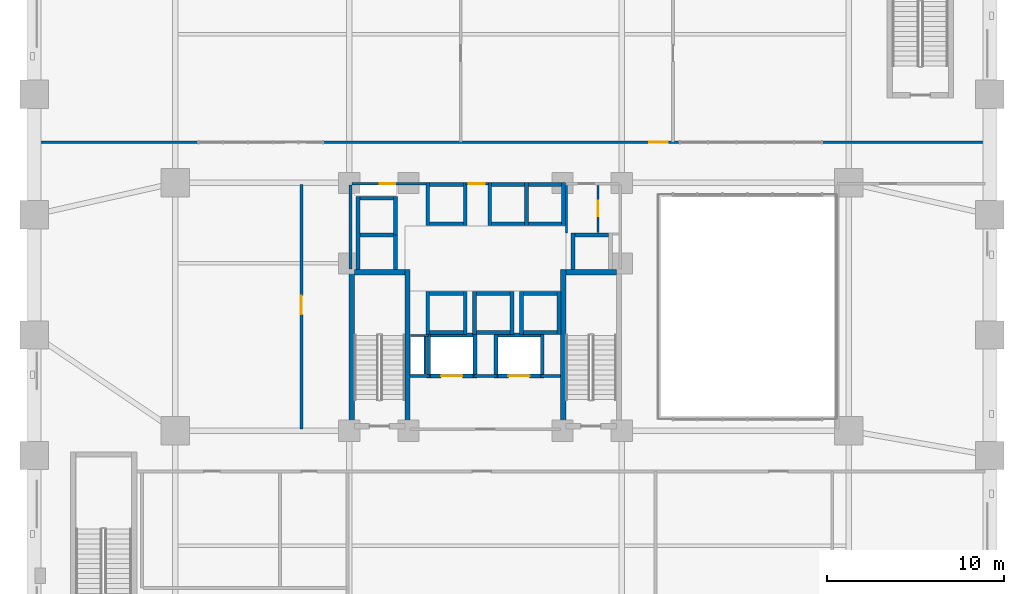
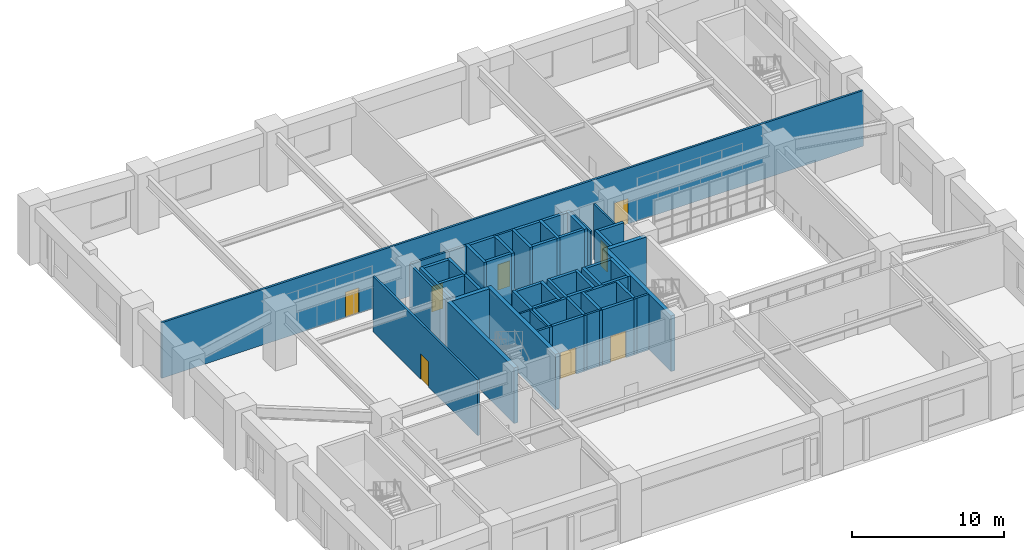
# One storey, part 7 of 13: 55 walls, 8 doors, 8 openings.
"""IFC4 building model written with IfcOpenShell, lengths in metres."""

from ifc_helpers import new_model, si_unit, derived_unit, direction, frame, frame_2d, origin, place, context, subcontext, project, spatial, rectangle, extrude, material, layer, layer_set, type_object, element, fill, save


model = new_model("IFC4")

# Units and contexts
model_context = context("Model", 3, precision=1e-05, world=origin(), true_north=direction((0.0, 1.0)))
body_context = subcontext(model_context, "Body", "Model", "MODEL_VIEW")
ifc_project = project(units=[si_unit("LENGTHUNIT", "METRE"), si_unit("AREAUNIT", "SQUARE_METRE"), si_unit("VOLUMEUNIT", "CUBIC_METRE"), si_unit("PLANEANGLEUNIT", "RADIAN"), si_unit("MASSUNIT", "GRAM", prefix="KILO"), derived_unit("THERMALTRANSMITTANCEUNIT", [(si_unit("MASSUNIT", "GRAM", prefix="KILO"), 1), (si_unit("TIMEUNIT", "SECOND"), -3), (si_unit("THERMODYNAMICTEMPERATUREUNIT", "KELVIN"), -1)])], contexts=[model_context])

# Site, building, storey
site_placement = place(None, origin())
site = spatial("IfcSite", under=ifc_project, at=site_placement, CompositionType="ELEMENT")
building_placement = place(site_placement, origin())
building = spatial("IfcBuilding", under=site, at=building_placement, Name="Korrvale Station Residences", CompositionType="ELEMENT")
storey_placement = place(building_placement, frame((0.0, 0.0, 11.199951171875)))
storey = spatial("IfcBuildingStorey", under=building, at=storey_placement, Name="L02", CompositionType="ELEMENT", Elevation=11.199951171875)

# Walls
ifc_material_1 = material(Name="Concrete C70/85", Category="concrete")
ifc_layer_1 = layer(ifc_material_1, 0.300048828125, Name="Concrete C70/85")
ifc_layer_set_1 = layer_set([ifc_layer_1], Name="Concrete C70/85")
wall_type_1 = type_object("IfcWallType", Name="WAL-CORE-300-C70", PredefinedType="SHEAR", material=ifc_layer_set_1)
for number, where, z_axis, x_axis, name in (
    (1, (17.949951171875, 15.10009765625, 0.0), (0.0, 0.0, 1.0), (0.0, 1.0, 0.0), "L02 ST-1 Core Shear Wall West"),
    (2, (21.10009765625, 15.10009765625, 0.0), (0.0, 0.0, 1.0), (0.0, 1.0, 0.0), "L02 ST-1 Core Shear Wall East"),
):
    element("IfcWall", number, at=place(storey_placement, frame(where, z_axis=z_axis, x_axis=x_axis)), inside=storey, type_object=wall_type_1, Name=name, PredefinedType="SHEAR", context=body_context, shape_type="SweptSolid", body=[
        extrude(rectangle(XDim=9.0, YDim=0.300048828125, at=frame_2d((4.5, 0.0))), origin(), (0.0, 0.0, 1.0), 4.47998046875),
    ])
wall_1_placement = place(storey_placement, frame((18.10009765625, 23.949951171875, 0.0), z_axis=(0.0, 0.0, 1.0), x_axis=(1.0, 0.0, 0.0)))
element("IfcWall", 3, at=wall_1_placement, inside=storey, type_object=wall_type_1, Name="L02 ST-1 Core Shear Wall North", PredefinedType="SHEAR", context=body_context, shape_type="SweptSolid", body=[
    extrude(rectangle(XDim=2.849853515625, YDim=0.300048828125, at=frame_2d((1.4248046875, 0.0))), origin(), (0.0, 0.0, 1.0), 4.47998046875),
])
wall_2_placement = place(storey_placement, frame((29.89990234375, 15.10009765625, 0.0), z_axis=(0.0, 0.0, 1.0), x_axis=(0.0, 1.0, 0.0)))
element("IfcWall", 4, at=wall_2_placement, inside=storey, type_object=wall_type_1, Name="L02 ST-2 Core Shear Wall West", PredefinedType="SHEAR", context=body_context, shape_type="SweptSolid", body=[
    extrude(rectangle(XDim=9.0, YDim=0.300048828125, at=frame_2d((4.5, 0.0))), origin(), (0.0, 0.0, 1.0), 4.47998046875),
])
wall_3_placement = place(storey_placement, frame((30.050048828125, 23.949951171875, 0.0), z_axis=(0.0, 0.0, 1.0), x_axis=(1.0, 0.0, 0.0)))
element("IfcWall", 5, at=wall_3_placement, inside=storey, type_object=wall_type_1, Name="L02 ST-2 Core Shear Wall North", PredefinedType="SHEAR", context=body_context, shape_type="SweptSolid", body=[
    extrude(rectangle(XDim=2.849853515625, YDim=0.300048828125, at=frame_2d((1.4248046875, 0.0))), origin(), (0.0, 0.0, 1.0), 4.47998046875),
])
ifc_material_2 = material(Name="Acoustic steel-stud gypsum board partition", Category="steel")
ifc_layer_2 = layer(ifc_material_2, 0.1201171875, Name="Acoustic steel-stud gypsum board partition")
ifc_layer_set_2 = layer_set([ifc_layer_2], Name="Acoustic steel-stud gypsum board partition")
wall_type_2 = type_object("IfcWallType", Name="WAL-PART-125", PredefinedType="PARTITIONING", material=ifc_layer_set_2)
wall_4_placement = place(storey_placement, frame((22.080078125, 18.199951171875, 0.0), z_axis=(0.0, 0.0, 1.0), x_axis=(0.0, 1.0, 0.0)))
element("IfcWall", 6, at=wall_4_placement, inside=storey, type_object=wall_type_2, Name="L02 Core Partition CW-RSWT", PredefinedType="PARTITIONING", context=body_context, shape_type="SweptSolid", body=[
    extrude(rectangle(XDim=2.1201171875, YDim=0.1201171875, at=frame_2d((1.06005859375, 0.0))), origin(), (0.0, 0.0, 1.0), 4.47998046875),
])
wall_5_placement = place(storey_placement, frame((22.280029296875, 20.3798828125, 0.0), z_axis=(0.0, 0.0, 1.0), x_axis=(-1.0, 0.0, 0.0)))
element("IfcWall", 7, at=wall_5_placement, inside=storey, type_object=wall_type_2, Name="L02 Core Partition CW-RSWT-N", PredefinedType="PARTITIONING", context=body_context, shape_type="SweptSolid", body=[
    extrude(rectangle(XDim=1.02001953125, YDim=0.1201171875, at=frame_2d((0.510009765625, 0.0))), origin(), (0.0, 0.0, 1.0), 4.47998046875),
])
wall_6_placement = place(storey_placement, frame((30.080078125, 26.179931640625, 0.0), z_axis=(0.0, 0.0, 1.0), x_axis=(0.0, 1.0, 0.0)))
element("IfcWall", 8, at=wall_6_placement, inside=storey, type_object=wall_type_2, Name="L02 Core Partition CW-CS-W", PredefinedType="PARTITIONING", context=body_context, shape_type="SweptSolid", body=[
    extrude(rectangle(XDim=2.68017578125, YDim=0.1201171875, at=frame_2d((1.340087890625, 0.0))), origin(), (0.0, 0.0, 1.0), 4.47998046875),
])

# Wall, opening, door
wall_7_placement = place(storey_placement, frame((31.860107421875, 26.199951171875, 0.0), z_axis=(0.0, 0.0, 1.0), x_axis=(0.0, 1.0, 0.0)))
wall_7 = element("IfcWall", 9, at=wall_7_placement, inside=storey, type_object=wall_type_2, Name="L02 Core Partition CW-CS-MID", PredefinedType="PARTITIONING", context=body_context, shape_type="SweptSolid", body=[
    extrude(rectangle(XDim=2.66015625, YDim=0.1201171875, at=frame_2d((1.330078125, 0.0))), origin(), (0.0, 0.0, 1.0), 4.47998046875),
])
opening_1_placement = place(wall_7_placement, frame((0.919921875, 0.0, 0.0)))
opening_1 = element("IfcOpeningElement", 10, at=opening_1_placement, cuts=wall_7, Name="Opening DB-860", PredefinedType="OPENING", context=body_context, shape_type="SweptSolid", body=[
    extrude(rectangle(XDim=0.860107421875, YDim=2.050048828125, at=frame_2d((0.43017578125, 1.02490234375))), frame((0.0, 0.070068359375, 0.0), z_axis=(0.0, -1.0, 0.0), x_axis=(1.0, 0.0, 0.0)), (0.0, 0.0, 1.0), 0.14013671875),
])
ifc_material_3 = material(Name="Moisture-resistant solid-core bathroom door", Category="timber")
door_type_1 = type_object("IfcDoorType", Name="DR-BATH-860", OperationType="NOTDEFINED", PredefinedType="DOOR", material=ifc_material_3)
door_1_placement = place(opening_1_placement, origin())
door_1 = element("IfcDoor", 11, at=door_1_placement, inside=storey, type_object=door_type_1, Name="L02 Metering Inner Door", OperationType="SINGLE_SWING_LEFT", OverallHeight=2.050048828125, OverallWidth=0.860107421875, PredefinedType="DOOR", context=body_context, shape_type="SweptSolid", body=[
    extrude(rectangle(XDim=0.860107421875, YDim=2.050048828125, at=frame_2d((0.43017578125, 1.02490234375))), frame((0.0, 0.02490234375, 0.0), z_axis=(0.0, -1.0, 0.0), x_axis=(1.0, 0.0, 0.0)), (0.0, 0.0, 1.0), 0.050048828125),
])
fill(opening_1, door_1)

# Walls
ifc_material_4 = material(Name="Fire-rated twin-stud gypsum and mineral wool shaftwall assembly", Category="gypsum")
ifc_layer_3 = layer(ifc_material_4, 0.159912109375, Name="Fire-rated twin-stud gypsum and mineral wool shaftwall assembly")
ifc_layer_set_3 = layer_set([ifc_layer_3], Name="Fire-rated twin-stud gypsum and mineral wool shaftwall assembly")
wall_type_3 = type_object("IfcWallType", Name="WAL-PART-200", PredefinedType="PARTITIONING", material=ifc_layer_set_3)
wall_8_placement = place(storey_placement, frame((21.25, 18.080078125, 0.0), z_axis=(0.0, 0.0, 1.0), x_axis=(1.0, 0.0, 0.0)))
element("IfcWall", 12, at=wall_8_placement, inside=storey, type_object=wall_type_3, Name="L02 Core Partition CW-FFL-N1", PredefinedType="PARTITIONING", context=body_context, shape_type="SweptSolid", body=[
    extrude(rectangle(XDim=1.10009765625, YDim=0.159912109375, at=frame_2d((0.550048828125, 0.0))), origin(), (0.0, 0.0, 1.0), 4.47998046875),
])
wall_9_placement = place(storey_placement, frame((24.85009765625, 18.080078125, 0.0), z_axis=(0.0, 0.0, 1.0), x_axis=(1.0, 0.0, 0.0)))
element("IfcWall", 13, at=wall_9_placement, inside=storey, type_object=wall_type_3, Name="L02 Core Partition CW-FFL-N2", PredefinedType="PARTITIONING", context=body_context, shape_type="SweptSolid", body=[
    extrude(rectangle(XDim=1.2998046875, YDim=0.159912109375, at=frame_2d((0.64990234375, 0.0))), origin(), (0.0, 0.0, 1.0), 4.47998046875),
])
wall_10_placement = place(storey_placement, frame((28.64990234375, 18.080078125, 0.0), z_axis=(0.0, 0.0, 1.0), x_axis=(1.0, 0.0, 0.0)))
element("IfcWall", 14, at=wall_10_placement, inside=storey, type_object=wall_type_3, Name="L02 Core Partition CW-FFL-N3", PredefinedType="PARTITIONING", context=body_context, shape_type="SweptSolid", body=[
    extrude(rectangle(XDim=1.10009765625, YDim=0.159912109375, at=frame_2d((0.550048828125, 0.0))), origin(), (0.0, 0.0, 1.0), 4.47998046875),
])
wall_11_placement = place(storey_placement, frame((17.8798828125, 24.1201171875, 0.0), z_axis=(0.0, 0.0, 1.0), x_axis=(0.0, 1.0, 0.0)))
element("IfcWall", 15, at=wall_11_placement, inside=storey, type_object=wall_type_3, Name="L02 Core Partition CW-W-N", PredefinedType="PARTITIONING", context=body_context, shape_type="SweptSolid", body=[
    extrude(rectangle(XDim=4.759765625, YDim=0.159912109375, at=frame_2d((2.3798828125, 0.0))), origin(), (0.0, 0.0, 1.0), 4.47998046875),
])

# Wall, opening, door
wall_12_placement = place(storey_placement, frame((24.360107421875, 28.949951171875, 0.0), z_axis=(0.0, 0.0, 1.0), x_axis=(1.0, 0.0, 0.0)))
wall_12 = element("IfcWall", 16, at=wall_12_placement, inside=storey, type_object=wall_type_3, Name="L02 Core Partition CW-LLOB-N", PredefinedType="PARTITIONING", context=body_context, shape_type="SweptSolid", body=[
    extrude(rectangle(XDim=1.31982421875, YDim=0.159912109375, at=frame_2d((0.659912109375, 0.0))), origin(), (0.0, 0.0, 1.0), 4.47998046875),
])
opening_2_placement = place(wall_12_placement, frame((0.2099609375, 0.0, 0.0)))
opening_2 = element("IfcOpeningElement", 17, at=opening_2_placement, cuts=wall_12, Name="Opening DI-900", PredefinedType="OPENING", context=body_context, shape_type="SweptSolid", body=[
    extrude(rectangle(XDim=0.89990234375, YDim=2.050048828125, at=frame_2d((0.449951171875, 1.02490234375))), frame((0.0, 0.08984375, 0.0), z_axis=(0.0, -1.0, 0.0), x_axis=(1.0, 0.0, 0.0)), (0.0, 0.0, 1.0), 0.179931640625),
])
ifc_material_5 = material(Name="Painted solid-core timber interior room door", Category="wood")
door_type_2 = type_object("IfcDoorType", Name="DR-INT-900", OperationType="NOTDEFINED", PredefinedType="DOOR", material=ifc_material_5)
door_2_placement = place(opening_2_placement, origin())
door_2 = element("IfcDoor", 18, at=door_2_placement, inside=storey, type_object=door_type_2, Name="L02 Central Hallway North Passage Door", OperationType="SINGLE_SWING_LEFT", OverallHeight=2.050048828125, OverallWidth=0.89990234375, PredefinedType="DOOR", context=body_context, shape_type="SweptSolid", body=[
    extrude(rectangle(XDim=0.89990234375, YDim=2.050048828125, at=frame_2d((0.449951171875, 1.02490234375))), frame((0.0, 0.02490234375, 0.0), z_axis=(0.0, -1.0, 0.0), x_axis=(1.0, 0.0, 0.0)), (0.0, 0.0, 1.0), 0.050048828125),
])
fill(opening_2, door_2)

wall_13_placement = place(storey_placement, frame((17.9599609375, 28.949951171875, 0.0), z_axis=(0.0, 0.0, 1.0), x_axis=(1.0, 0.0, 0.0)))
wall_13 = element("IfcWall", 19, at=wall_13_placement, inside=storey, type_object=wall_type_3, Name="L02 Core Partition CW-NW", PredefinedType="PARTITIONING", context=body_context, shape_type="SweptSolid", body=[
    extrude(rectangle(XDim=4.2900390625, YDim=0.159912109375, at=frame_2d((2.14501953125, 0.0))), origin(), (0.0, 0.0, 1.0), 4.47998046875),
])
opening_3_placement = place(wall_13_placement, frame((1.570068359375, 0.0, 0.0)))
opening_3 = element("IfcOpeningElement", 20, at=opening_3_placement, cuts=wall_13, Name="Opening DB-860", PredefinedType="OPENING", context=body_context, shape_type="SweptSolid", body=[
    extrude(rectangle(XDim=0.860107421875, YDim=2.050048828125, at=frame_2d((0.43017578125, 1.02490234375))), frame((0.0, 0.08984375, 0.0), z_axis=(0.0, -1.0, 0.0), x_axis=(1.0, 0.0, 0.0)), (0.0, 0.0, 1.0), 0.179931640625),
])
door_3_placement = place(opening_3_placement, origin())
door_3 = element("IfcDoor", 21, at=door_3_placement, inside=storey, type_object=door_type_1, Name="L02 Electrical Riser Access Door", OperationType="SINGLE_SWING_RIGHT", OverallHeight=2.050048828125, OverallWidth=0.860107421875, PredefinedType="DOOR", context=body_context, shape_type="SweptSolid", body=[
    extrude(rectangle(XDim=0.860107421875, YDim=2.050048828125, at=frame_2d((0.43017578125, 1.02490234375))), frame((0.0, 0.02490234375, 0.0), z_axis=(0.0, -1.0, 0.0), x_axis=(1.0, 0.0, 0.0)), (0.0, 0.0, 1.0), 0.050048828125),
])
fill(opening_3, door_3)

# Wall, openings, doors
wall_14_placement = place(storey_placement, frame((0.280029296875, 31.300048828125, 0.0), z_axis=(0.0, 0.0, 1.0), x_axis=(1.0, 0.0, 0.0)))
wall_14 = element("IfcWall", 22, at=wall_14_placement, inside=storey, type_object=wall_type_3, Name="L02 Interior Partition W-PN", PredefinedType="PARTITIONING", context=body_context, shape_type="SweptSolid", body=[
    extrude(rectangle(XDim=53.43994140625, YDim=0.159912109375, at=frame_2d((26.719970703125, 0.0))), origin(), (0.0, 0.0, 1.0), 4.47998046875),
])
opening_4_placement = place(wall_14_placement, frame((13.97509765625, 0.0, 0.0)))
opening_4 = element("IfcOpeningElement", 23, at=opening_4_placement, cuts=wall_14, Name="Opening FD-1050", PredefinedType="OPENING", context=body_context, shape_type="SweptSolid", body=[
    extrude(rectangle(XDim=1.050048828125, YDim=2.050048828125, at=frame_2d((0.52490234375, 1.02490234375))), frame((0.0, 0.08984375, 0.0), z_axis=(0.0, -1.0, 0.0), x_axis=(1.0, 0.0, 0.0)), (0.0, 0.0, 1.0), 0.179931640625),
])
opening_5_placement = place(wall_14_placement, frame((34.47509765625, 0.0, 0.0)))
opening_5 = element("IfcOpeningElement", 24, at=opening_5_placement, cuts=wall_14, Name="Opening FD-1050", PredefinedType="OPENING", context=body_context, shape_type="SweptSolid", body=[
    extrude(rectangle(XDim=1.050048828125, YDim=2.050048828125, at=frame_2d((0.52490234375, 1.02490234375))), frame((0.0, 0.08984375, 0.0), z_axis=(0.0, -1.0, 0.0), x_axis=(1.0, 0.0, 0.0)), (0.0, 0.0, 1.0), 0.179931640625),
])
ifc_material_6 = material(Name="Fire-rated mineral-core timber lobby door", Category="wood")
door_type_3 = type_object("IfcDoorType", Name="DR-CORE-1050", OperationType="NOTDEFINED", PredefinedType="DOOR", material=ifc_material_6)
door_4_placement = place(opening_4_placement, origin())
door_4 = element("IfcDoor", 25, at=door_4_placement, inside=storey, type_object=door_type_3, Name="L02 North Suite Entry Door 1", OperationType="SINGLE_SWING_LEFT", OverallHeight=2.050048828125, OverallWidth=1.050048828125, PredefinedType="DOOR", context=body_context, shape_type="SweptSolid", body=[
    extrude(rectangle(XDim=1.050048828125, YDim=2.050048828125, at=frame_2d((0.52490234375, 1.02490234375))), frame((0.0, 0.02490234375, 0.0), z_axis=(0.0, -1.0, 0.0), x_axis=(1.0, 0.0, 0.0)), (0.0, 0.0, 1.0), 0.050048828125),
])
fill(opening_4, door_4)
door_5_placement = place(opening_5_placement, origin())
door_5 = element("IfcDoor", 26, at=door_5_placement, inside=storey, type_object=door_type_3, Name="L02 North Suite Entry Door 2", OperationType="SINGLE_SWING_RIGHT", OverallHeight=2.050048828125, OverallWidth=1.050048828125, PredefinedType="DOOR", context=body_context, shape_type="SweptSolid", body=[
    extrude(rectangle(XDim=1.050048828125, YDim=2.050048828125, at=frame_2d((0.52490234375, 1.02490234375))), frame((0.0, 0.02490234375, 0.0), z_axis=(0.0, -1.0, 0.0), x_axis=(1.0, 0.0, 0.0)), (0.0, 0.0, 1.0), 0.050048828125),
])
fill(opening_5, door_5)

# Wall, opening, door
wall_15_placement = place(storey_placement, frame((15.10009765625, 15.10009765625, 0.0), z_axis=(0.0, 0.0, 1.0), x_axis=(0.0, 1.0, 0.0)))
wall_15 = element("IfcWall", 27, at=wall_15_placement, inside=storey, type_object=wall_type_3, Name="L02 Interior Partition W-PW", PredefinedType="PARTITIONING", context=body_context, shape_type="SweptSolid", body=[
    extrude(rectangle(XDim=13.7998046875, YDim=0.159912109375, at=frame_2d((6.89990234375, 0.0))), origin(), (0.0, 0.0, 1.0), 4.47998046875),
])
opening_6_placement = place(wall_15_placement, frame((6.47509765625, 0.0, 0.0)))
opening_6 = element("IfcOpeningElement", 28, at=opening_6_placement, cuts=wall_15, Name="Opening FD-1050", PredefinedType="OPENING", context=body_context, shape_type="SweptSolid", body=[
    extrude(rectangle(XDim=1.050048828125, YDim=2.050048828125, at=frame_2d((0.52490234375, 1.02490234375))), frame((0.0, 0.08984375, 0.0), z_axis=(0.0, -1.0, 0.0), x_axis=(1.0, 0.0, 0.0)), (0.0, 0.0, 1.0), 0.179931640625),
])
door_6_placement = place(opening_6_placement, origin())
door_6 = element("IfcDoor", 29, at=door_6_placement, inside=storey, type_object=door_type_3, Name="L02 West Suite Entry Door", OperationType="SINGLE_SWING_LEFT", OverallHeight=2.050048828125, OverallWidth=1.050048828125, PredefinedType="DOOR", context=body_context, shape_type="SweptSolid", body=[
    extrude(rectangle(XDim=1.050048828125, YDim=2.050048828125, at=frame_2d((0.52490234375, 1.02490234375))), frame((0.0, 0.02490234375, 0.0), z_axis=(0.0, -1.0, 0.0), x_axis=(1.0, 0.0, 0.0)), (0.0, 0.0, 1.0), 0.050048828125),
])
fill(opening_6, door_6)

# Walls
ifc_layer_4 = layer(ifc_material_1, 0.219970703125, Name="Concrete C70/85")
ifc_layer_set_4 = layer_set([ifc_layer_4], Name="Concrete C70/85")
wall_type_4 = type_object("IfcWallType", Name="WAL-SHAFT-220-C70", PredefinedType="SHEAR", material=ifc_layer_set_4)
for number, where, z_axis, x_axis, name in (
    (30, (22.35009765625, 26.68994140625, 0.0), (0.0, 0.0, 1.0), (1.0, 0.0, 0.0), "L02 Elevator PL-1 Hoistway Wall South"),
    (31, (22.35009765625, 28.909912109375, 0.0), (0.0, 0.0, 1.0), (1.0, 0.0, 0.0), "L02 Elevator PL-1 Hoistway Wall North"),
):
    element("IfcWall", number, at=place(storey_placement, frame(where, z_axis=z_axis, x_axis=x_axis)), inside=storey, type_object=wall_type_4, Name=name, PredefinedType="SHEAR", context=body_context, shape_type="SweptSolid", body=[
        extrude(rectangle(XDim=1.89990234375, YDim=0.219970703125, at=frame_2d((0.949951171875, 0.0))), origin(), (0.0, 0.0, 1.0), 4.47998046875),
    ])
for number, where, z_axis, x_axis, name in (
    (32, (22.239990234375, 26.580078125, 0.0), (0.0, 0.0, 1.0), (0.0, 1.0, 0.0), "L02 Elevator PL-1 Hoistway Wall West"),
    (33, (24.360107421875, 26.580078125, 0.0), (0.0, 0.0, 1.0), (0.0, 1.0, 0.0), "L02 Elevator PL-1 Hoistway Wall East"),
):
    element("IfcWall", number, at=place(storey_placement, frame(where, z_axis=z_axis, x_axis=x_axis)), inside=storey, type_object=wall_type_4, Name=name, PredefinedType="SHEAR", context=body_context, shape_type="SweptSolid", body=[
        extrude(rectangle(XDim=2.43994140625, YDim=0.219970703125, at=frame_2d((1.219970703125, 0.0))), origin(), (0.0, 0.0, 1.0), 4.47998046875),
    ])
for number, where, z_axis, x_axis, name in (
    (34, (25.85009765625, 26.68994140625, 0.0), (0.0, 0.0, 1.0), (1.0, 0.0, 0.0), "L02 Elevator PL-2 Hoistway Wall South"),
    (35, (25.85009765625, 28.909912109375, 0.0), (0.0, 0.0, 1.0), (1.0, 0.0, 0.0), "L02 Elevator PL-2 Hoistway Wall North"),
):
    element("IfcWall", number, at=place(storey_placement, frame(where, z_axis=z_axis, x_axis=x_axis)), inside=storey, type_object=wall_type_4, Name=name, PredefinedType="SHEAR", context=body_context, shape_type="SweptSolid", body=[
        extrude(rectangle(XDim=1.85986328125, YDim=0.219970703125, at=frame_2d((0.929931640625, 0.0))), origin(), (0.0, 0.0, 1.0), 4.47998046875),
    ])
for number, where, z_axis, x_axis, name in (
    (36, (25.739990234375, 26.580078125, 0.0), (0.0, 0.0, 1.0), (0.0, 1.0, 0.0), "L02 Elevator PL-2 Hoistway Wall West"),
    (37, (27.820068359375, 26.580078125, 0.0), (0.0, 0.0, 1.0), (0.0, 1.0, 0.0), "L02 Elevator PL-2 Hoistway Wall East"),
):
    element("IfcWall", number, at=place(storey_placement, frame(where, z_axis=z_axis, x_axis=x_axis)), inside=storey, type_object=wall_type_4, Name=name, PredefinedType="SHEAR", context=body_context, shape_type="SweptSolid", body=[
        extrude(rectangle(XDim=2.43994140625, YDim=0.219970703125, at=frame_2d((1.219970703125, 0.0))), origin(), (0.0, 0.0, 1.0), 4.47998046875),
    ])
for number, where, z_axis, x_axis, name in (
    (38, (27.929931640625, 26.68994140625, 0.0), (0.0, 0.0, 1.0), (1.0, 0.0, 0.0), "L02 Elevator PL-3 Hoistway Wall South"),
    (39, (27.929931640625, 28.909912109375, 0.0), (0.0, 0.0, 1.0), (1.0, 0.0, 0.0), "L02 Elevator PL-3 Hoistway Wall North"),
):
    element("IfcWall", number, at=place(storey_placement, frame(where, z_axis=z_axis, x_axis=x_axis)), inside=storey, type_object=wall_type_4, Name=name, PredefinedType="SHEAR", context=body_context, shape_type="SweptSolid", body=[
        extrude(rectangle(XDim=1.860107421875, YDim=0.219970703125, at=frame_2d((0.93017578125, 0.0))), origin(), (0.0, 0.0, 1.0), 4.47998046875),
    ])
wall_16_placement = place(storey_placement, frame((29.89990234375, 26.580078125, 0.0), z_axis=(0.0, 0.0, 1.0), x_axis=(0.0, 1.0, 0.0)))
element("IfcWall", 40, at=wall_16_placement, inside=storey, type_object=wall_type_4, Name="L02 Elevator PL-3 Hoistway Wall East", PredefinedType="SHEAR", context=body_context, shape_type="SweptSolid", body=[
    extrude(rectangle(XDim=2.43994140625, YDim=0.219970703125, at=frame_2d((1.219970703125, 0.0))), origin(), (0.0, 0.0, 1.0), 4.47998046875),
])
for number, where, z_axis, x_axis, name in (
    (41, (22.35009765625, 20.5400390625, 0.0), (0.0, 0.0, 1.0), (1.0, 0.0, 0.0), "L02 Elevator PM-1 Hoistway Wall South"),
    (42, (22.35009765625, 22.760009765625, 0.0), (0.0, 0.0, 1.0), (1.0, 0.0, 0.0), "L02 Elevator PM-1 Hoistway Wall North"),
):
    element("IfcWall", number, at=place(storey_placement, frame(where, z_axis=z_axis, x_axis=x_axis)), inside=storey, type_object=wall_type_4, Name=name, PredefinedType="SHEAR", context=body_context, shape_type="SweptSolid", body=[
        extrude(rectangle(XDim=1.89990234375, YDim=0.219970703125, at=frame_2d((0.949951171875, 0.0))), origin(), (0.0, 0.0, 1.0), 4.47998046875),
    ])
for number, where, z_axis, x_axis, name in (
    (43, (22.239990234375, 20.429931640625, 0.0), (0.0, 0.0, 1.0), (0.0, 1.0, 0.0), "L02 Elevator PM-1 Hoistway Wall West"),
    (44, (24.360107421875, 20.429931640625, 0.0), (0.0, 0.0, 1.0), (0.0, 1.0, 0.0), "L02 Elevator PM-1 Hoistway Wall East"),
):
    element("IfcWall", number, at=place(storey_placement, frame(where, z_axis=z_axis, x_axis=x_axis)), inside=storey, type_object=wall_type_4, Name=name, PredefinedType="SHEAR", context=body_context, shape_type="SweptSolid", body=[
        extrude(rectangle(XDim=2.440185546875, YDim=0.219970703125, at=frame_2d((1.22021484375, 0.0))), origin(), (0.0, 0.0, 1.0), 4.47998046875),
    ])
for number, where, z_axis, x_axis, name in (
    (45, (25.0, 20.5400390625, 0.0), (0.0, 0.0, 1.0), (1.0, 0.0, 0.0), "L02 Elevator PM-2 Hoistway Wall South"),
    (46, (25.0, 22.760009765625, 0.0), (0.0, 0.0, 1.0), (1.0, 0.0, 0.0), "L02 Elevator PM-2 Hoistway Wall North"),
):
    element("IfcWall", number, at=place(storey_placement, frame(where, z_axis=z_axis, x_axis=x_axis)), inside=storey, type_object=wall_type_4, Name=name, PredefinedType="SHEAR", context=body_context, shape_type="SweptSolid", body=[
        extrude(rectangle(XDim=1.89990234375, YDim=0.219970703125, at=frame_2d((0.949951171875, 0.0))), origin(), (0.0, 0.0, 1.0), 4.47998046875),
    ])
for number, where, z_axis, x_axis, name in (
    (47, (24.889892578125, 20.429931640625, 0.0), (0.0, 0.0, 1.0), (0.0, 1.0, 0.0), "L02 Elevator PM-2 Hoistway Wall West"),
    (48, (27.010009765625, 20.429931640625, 0.0), (0.0, 0.0, 1.0), (0.0, 1.0, 0.0), "L02 Elevator PM-2 Hoistway Wall East"),
):
    element("IfcWall", number, at=place(storey_placement, frame(where, z_axis=z_axis, x_axis=x_axis)), inside=storey, type_object=wall_type_4, Name=name, PredefinedType="SHEAR", context=body_context, shape_type="SweptSolid", body=[
        extrude(rectangle(XDim=2.440185546875, YDim=0.219970703125, at=frame_2d((1.22021484375, 0.0))), origin(), (0.0, 0.0, 1.0), 4.47998046875),
    ])
for number, where, z_axis, x_axis, name in (
    (49, (27.64990234375, 20.5400390625, 0.0), (0.0, 0.0, 1.0), (1.0, 0.0, 0.0), "L02 Elevator PM-3 Hoistway Wall South"),
    (50, (27.64990234375, 22.760009765625, 0.0), (0.0, 0.0, 1.0), (1.0, 0.0, 0.0), "L02 Elevator PM-3 Hoistway Wall North"),
):
    element("IfcWall", number, at=place(storey_placement, frame(where, z_axis=z_axis, x_axis=x_axis)), inside=storey, type_object=wall_type_4, Name=name, PredefinedType="SHEAR", context=body_context, shape_type="SweptSolid", body=[
        extrude(rectangle(XDim=1.900146484375, YDim=0.219970703125, at=frame_2d((0.9501953125, 0.0))), origin(), (0.0, 0.0, 1.0), 4.47998046875),
    ])
for number, where, z_axis, x_axis, name in (
    (51, (27.5400390625, 20.429931640625, 0.0), (0.0, 0.0, 1.0), (0.0, 1.0, 0.0), "L02 Elevator PM-3 Hoistway Wall West"),
    (52, (29.659912109375, 20.429931640625, 0.0), (0.0, 0.0, 1.0), (0.0, 1.0, 0.0), "L02 Elevator PM-3 Hoistway Wall East"),
):
    element("IfcWall", number, at=place(storey_placement, frame(where, z_axis=z_axis, x_axis=x_axis)), inside=storey, type_object=wall_type_4, Name=name, PredefinedType="SHEAR", context=body_context, shape_type="SweptSolid", body=[
        extrude(rectangle(XDim=2.440185546875, YDim=0.219970703125, at=frame_2d((1.22021484375, 0.0))), origin(), (0.0, 0.0, 1.0), 4.47998046875),
    ])
wall_17_placement = place(storey_placement, frame((18.2900390625, 24.10009765625, 0.0), z_axis=(0.0, 0.0, 1.0), x_axis=(0.0, 1.0, 0.0)))
element("IfcWall", 53, at=wall_17_placement, inside=storey, type_object=wall_type_4, Name="L02 Elevator PH-1 Hoistway Wall West", PredefinedType="SHEAR", context=body_context, shape_type="SweptSolid", body=[
    extrude(rectangle(XDim=4.139892578125, YDim=0.219970703125, at=frame_2d((2.06982421875, 0.0))), origin(), (0.0, 0.0, 1.0), 4.47998046875),
])
wall_18_placement = place(storey_placement, frame((20.409912109375, 24.10009765625, 0.0), z_axis=(0.0, 0.0, 1.0), x_axis=(0.0, 1.0, 0.0)))
element("IfcWall", 54, at=wall_18_placement, inside=storey, type_object=wall_type_4, Name="L02 Elevator PH-1 Hoistway Wall East", PredefinedType="SHEAR", context=body_context, shape_type="SweptSolid", body=[
    extrude(rectangle(XDim=1.9599609375, YDim=0.219970703125, at=frame_2d((0.97998046875, 0.0))), origin(), (0.0, 0.0, 1.0), 4.47998046875),
])
for number, where, z_axis, x_axis, name in (
    (55, (18.39990234375, 26.06005859375, 0.0), (0.0, 0.0, 1.0), (1.0, 0.0, 0.0), "L02 Elevator PH-2 Hoistway Wall South"),
    (56, (18.39990234375, 28.1298828125, 0.0), (0.0, 0.0, 1.0), (1.0, 0.0, 0.0), "L02 Elevator PH-2 Hoistway Wall North"),
):
    element("IfcWall", number, at=place(storey_placement, frame(where, z_axis=z_axis, x_axis=x_axis)), inside=storey, type_object=wall_type_4, Name=name, PredefinedType="SHEAR", context=body_context, shape_type="SweptSolid", body=[
        extrude(rectangle(XDim=1.900146484375, YDim=0.219970703125, at=frame_2d((0.9501953125, 0.0))), origin(), (0.0, 0.0, 1.0), 4.47998046875),
    ])
wall_19_placement = place(storey_placement, frame((20.409912109375, 26.06005859375, 0.0), z_axis=(0.0, 0.0, 1.0), x_axis=(0.0, 1.0, 0.0)))
element("IfcWall", 57, at=wall_19_placement, inside=storey, type_object=wall_type_4, Name="L02 Elevator PH-2 Hoistway Wall East", PredefinedType="SHEAR", context=body_context, shape_type="SweptSolid", body=[
    extrude(rectangle(XDim=2.179931640625, YDim=0.219970703125, at=frame_2d((1.08984375, 0.0))), origin(), (0.0, 0.0, 1.0), 4.47998046875),
])
wall_20_placement = place(storey_placement, frame((30.550048828125, 26.06005859375, 0.0), z_axis=(0.0, 0.0, 1.0), x_axis=(1.0, 0.0, 0.0)))
element("IfcWall", 58, at=wall_20_placement, inside=storey, type_object=wall_type_4, Name="L02 Elevator PH-3 Hoistway Wall North", PredefinedType="SHEAR", context=body_context, shape_type="SweptSolid", body=[
    extrude(rectangle(XDim=1.89990234375, YDim=0.219970703125, at=frame_2d((0.949951171875, 0.0))), origin(), (0.0, 0.0, 1.0), 4.47998046875),
])
wall_21_placement = place(storey_placement, frame((30.43994140625, 24.10009765625, 0.0), z_axis=(0.0, 0.0, 1.0), x_axis=(0.0, 1.0, 0.0)))
element("IfcWall", 59, at=wall_21_placement, inside=storey, type_object=wall_type_4, Name="L02 Elevator PH-3 Hoistway Wall West", PredefinedType="SHEAR", context=body_context, shape_type="SweptSolid", body=[
    extrude(rectangle(XDim=2.06982421875, YDim=0.219970703125, at=frame_2d((1.034912109375, 0.0))), origin(), (0.0, 0.0, 1.0), 4.47998046875),
])

# Wall, opening, door
wall_22_placement = place(storey_placement, frame((22.39990234375, 18.090087890625, 0.0), z_axis=(0.0, 0.0, 1.0), x_axis=(1.0, 0.0, 0.0)))
wall_22 = element("IfcWall", 60, at=wall_22_placement, inside=storey, type_object=wall_type_4, Name="L02 Elevator FFL-1 Hoistway Wall South", PredefinedType="SHEAR", context=body_context, shape_type="SweptSolid", body=[
    extrude(rectangle(XDim=2.400146484375, YDim=0.219970703125, at=frame_2d((1.2001953125, 0.0))), origin(), (0.0, 0.0, 1.0), 4.47998046875),
])
opening_7_placement = place(wall_22_placement, frame((0.60009765625, 0.0, 0.0)))
opening_7 = element("IfcOpeningElement", 61, at=opening_7_placement, cuts=wall_22, Name="Opening LD-FF1200", PredefinedType="OPENING", context=body_context, shape_type="SweptSolid", body=[
    extrude(rectangle(XDim=1.199951171875, YDim=2.14990234375, at=frame_2d((0.60009765625, 1.074951171875))), frame((0.0, 0.1201171875, 0.0), z_axis=(0.0, -1.0, 0.0), x_axis=(1.0, 0.0, 0.0)), (0.0, 0.0, 1.0), 0.239990234375),
])
ifc_material_7 = material(Name="Stainless-steel firefighter elevator landing sliding door", Category="steel")
door_type_4 = type_object("IfcDoorType", Name="DR-LIFT-FF1200", OperationType="SLIDING_TO_LEFT", PredefinedType="DOOR", material=ifc_material_7)
door_7_placement = place(opening_7_placement, origin())
door_7 = element("IfcDoor", 62, at=door_7_placement, inside=storey, type_object=door_type_4, Name="L02 Elevator FFL-1 Sliding Landing Door", OperationType="SLIDING_TO_LEFT", OverallHeight=2.14990234375, OverallWidth=1.199951171875, PredefinedType="DOOR", context=body_context, shape_type="SweptSolid", body=[
    extrude(rectangle(XDim=1.199951171875, YDim=2.14990234375, at=frame_2d((0.60009765625, 1.074951171875))), frame((0.0, 0.02490234375, 0.0), z_axis=(0.0, -1.0, 0.0), x_axis=(1.0, 0.0, 0.0)), (0.0, 0.0, 1.0), 0.050048828125),
])
fill(opening_7, door_7)

# Walls
wall_23_placement = place(storey_placement, frame((22.39990234375, 20.409912109375, 0.0), z_axis=(0.0, 0.0, 1.0), x_axis=(1.0, 0.0, 0.0)))
element("IfcWall", 63, at=wall_23_placement, inside=storey, type_object=wall_type_4, Name="L02 Elevator FFL-1 Hoistway Wall North", PredefinedType="SHEAR", context=body_context, shape_type="SweptSolid", body=[
    extrude(rectangle(XDim=2.400146484375, YDim=0.219970703125, at=frame_2d((1.2001953125, 0.0))), origin(), (0.0, 0.0, 1.0), 4.47998046875),
])
for number, where, z_axis, x_axis, name in (
    (64, (22.2900390625, 17.97998046875, 0.0), (0.0, 0.0, 1.0), (0.0, 1.0, 0.0), "L02 Elevator FFL-1 Hoistway Wall West"),
    (65, (24.909912109375, 17.97998046875, 0.0), (0.0, 0.0, 1.0), (0.0, 1.0, 0.0), "L02 Elevator FFL-1 Hoistway Wall East"),
):
    element("IfcWall", number, at=place(storey_placement, frame(where, z_axis=z_axis, x_axis=x_axis)), inside=storey, type_object=wall_type_4, Name=name, PredefinedType="SHEAR", context=body_context, shape_type="SweptSolid", body=[
        extrude(rectangle(XDim=2.5400390625, YDim=0.219970703125, at=frame_2d((1.27001953125, 0.0))), origin(), (0.0, 0.0, 1.0), 4.47998046875),
    ])

# Wall, opening, door
wall_24_placement = place(storey_placement, frame((26.199951171875, 18.090087890625, 0.0), z_axis=(0.0, 0.0, 1.0), x_axis=(1.0, 0.0, 0.0)))
wall_24 = element("IfcWall", 66, at=wall_24_placement, inside=storey, type_object=wall_type_4, Name="L02 Elevator FFL-2 Hoistway Wall South", PredefinedType="SHEAR", context=body_context, shape_type="SweptSolid", body=[
    extrude(rectangle(XDim=2.400146484375, YDim=0.219970703125, at=frame_2d((1.2001953125, 0.0))), origin(), (0.0, 0.0, 1.0), 4.47998046875),
])
opening_8_placement = place(wall_24_placement, frame((0.60009765625, 0.0, 0.0)))
opening_8 = element("IfcOpeningElement", 67, at=opening_8_placement, cuts=wall_24, Name="Opening LD-FF1200", PredefinedType="OPENING", context=body_context, shape_type="SweptSolid", body=[
    extrude(rectangle(XDim=1.199951171875, YDim=2.14990234375, at=frame_2d((0.60009765625, 1.074951171875))), frame((0.0, 0.1201171875, 0.0), z_axis=(0.0, -1.0, 0.0), x_axis=(1.0, 0.0, 0.0)), (0.0, 0.0, 1.0), 0.239990234375),
])
door_8_placement = place(opening_8_placement, origin())
door_8 = element("IfcDoor", 68, at=door_8_placement, inside=storey, type_object=door_type_4, Name="L02 Elevator FFL-2 Sliding Landing Door", OperationType="SLIDING_TO_LEFT", OverallHeight=2.14990234375, OverallWidth=1.199951171875, PredefinedType="DOOR", context=body_context, shape_type="SweptSolid", body=[
    extrude(rectangle(XDim=1.199951171875, YDim=2.14990234375, at=frame_2d((0.60009765625, 1.074951171875))), frame((0.0, 0.02490234375, 0.0), z_axis=(0.0, -1.0, 0.0), x_axis=(1.0, 0.0, 0.0)), (0.0, 0.0, 1.0), 0.050048828125),
])
fill(opening_8, door_8)

# Walls
wall_25_placement = place(storey_placement, frame((26.199951171875, 20.409912109375, 0.0), z_axis=(0.0, 0.0, 1.0), x_axis=(1.0, 0.0, 0.0)))
element("IfcWall", 69, at=wall_25_placement, inside=storey, type_object=wall_type_4, Name="L02 Elevator FFL-2 Hoistway Wall North", PredefinedType="SHEAR", context=body_context, shape_type="SweptSolid", body=[
    extrude(rectangle(XDim=2.400146484375, YDim=0.219970703125, at=frame_2d((1.2001953125, 0.0))), origin(), (0.0, 0.0, 1.0), 4.47998046875),
])
for number, where, z_axis, x_axis, name in (
    (70, (26.090087890625, 17.97998046875, 0.0), (0.0, 0.0, 1.0), (0.0, 1.0, 0.0), "L02 Elevator FFL-2 Hoistway Wall West"),
    (71, (28.7099609375, 17.97998046875, 0.0), (0.0, 0.0, 1.0), (0.0, 1.0, 0.0), "L02 Elevator FFL-2 Hoistway Wall East"),
):
    element("IfcWall", number, at=place(storey_placement, frame(where, z_axis=z_axis, x_axis=x_axis)), inside=storey, type_object=wall_type_4, Name=name, PredefinedType="SHEAR", context=body_context, shape_type="SweptSolid", body=[
        extrude(rectangle(XDim=2.5400390625, YDim=0.219970703125, at=frame_2d((1.27001953125, 0.0))), origin(), (0.0, 0.0, 1.0), 4.47998046875),
    ])

save(model, "model.ifc")
